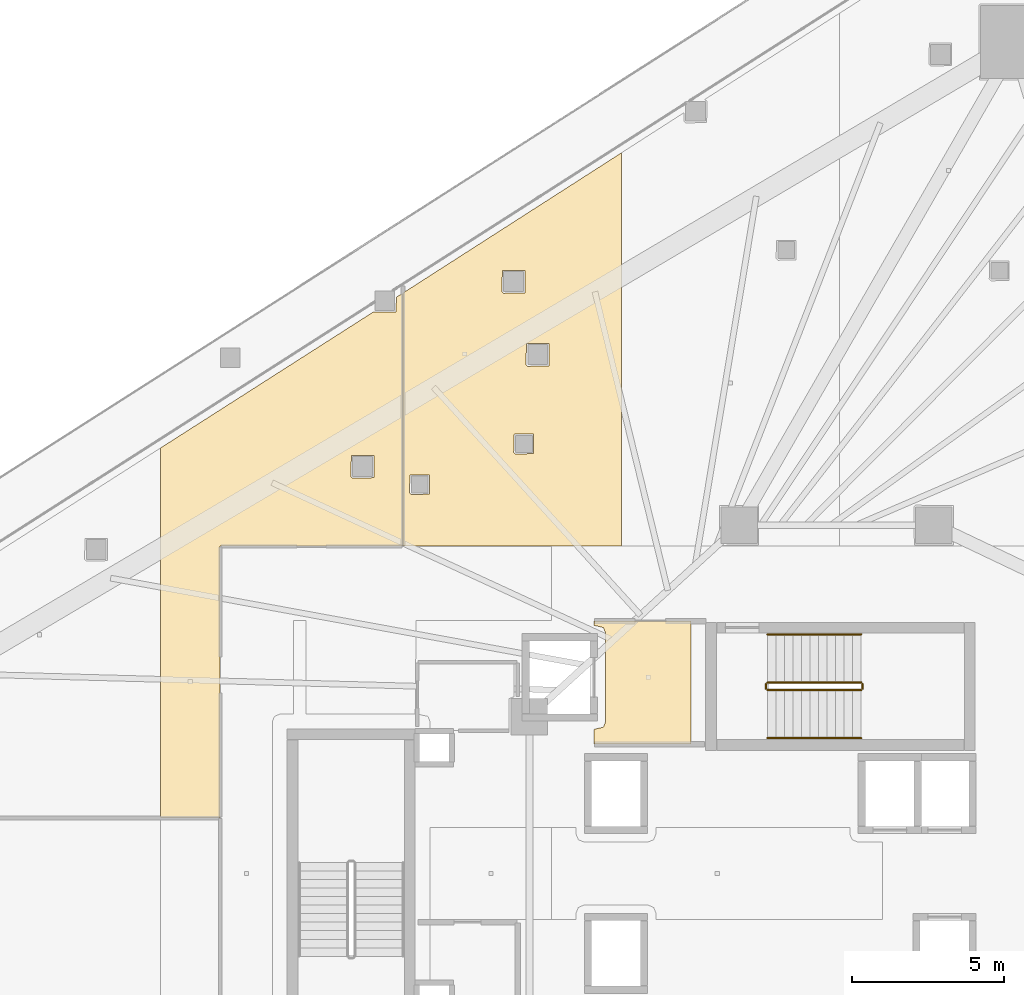
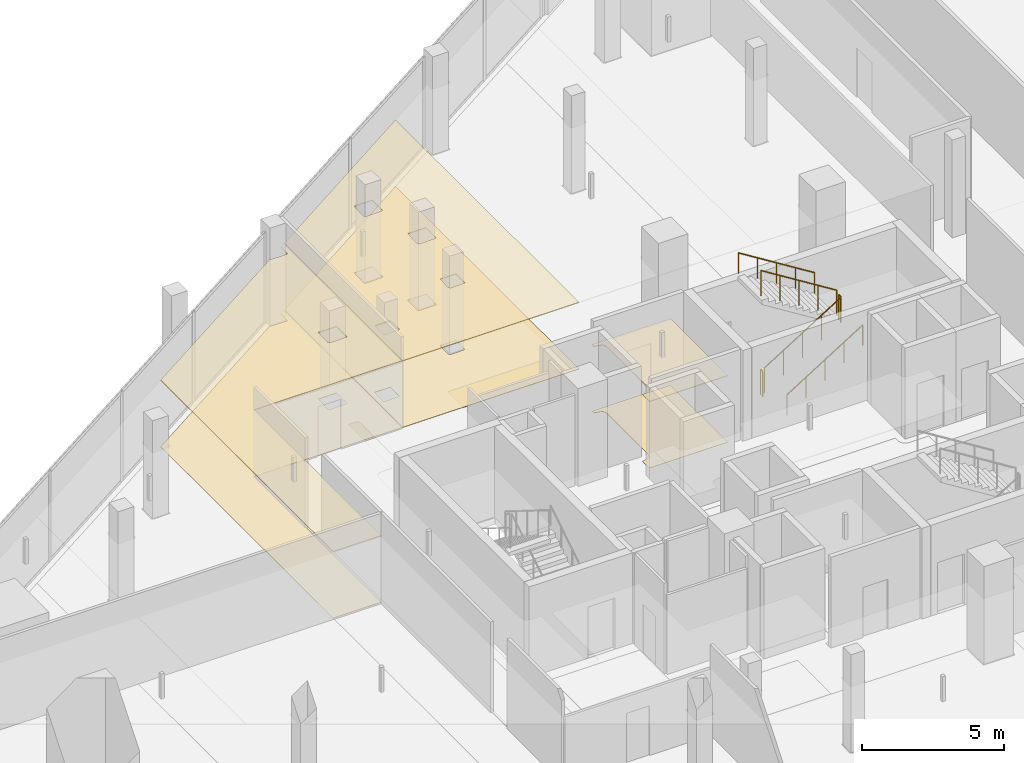
# One storey, part 44 of 45: 6 coverings, 6 railings.
"""IFC4 building model written with IfcOpenShell, lengths in metres."""

from ifc_helpers import new_model, si_unit, direction, frame, origin, origin_2d, place, context, subcontext, project, spatial, polyline, circle, outline, extrude, material, layer, layer_set, type_object, element, save


model = new_model("IFC4")

# Units and contexts
model_context = context("Model", 3, precision=1e-05, world=origin(), true_north=direction((0.0, 1.0)))
body_context = subcontext(model_context, "Body", "Model", "MODEL_VIEW")
ifc_project = project(units=[si_unit("LENGTHUNIT", "METRE"), si_unit("AREAUNIT", "SQUARE_METRE"), si_unit("VOLUMEUNIT", "CUBIC_METRE"), si_unit("PLANEANGLEUNIT", "RADIAN"), si_unit("MASSUNIT", "GRAM", prefix="KILO")], contexts=[model_context])

# Site, building, storey
site_placement = place(None, origin())
site = spatial("IfcSite", under=ifc_project, at=site_placement, CompositionType="ELEMENT")
building_placement = place(site_placement, origin())
building = spatial("IfcBuilding", under=site, at=building_placement, Name="Qorvath Tower", CompositionType="ELEMENT")
storey_placement = place(building_placement, frame((0.0, 0.0, 95.39990234375)))
storey = spatial("IfcBuildingStorey", under=building, at=storey_placement, Name="L21", CompositionType="ELEMENT", Elevation=95.39990234375)

# Coverings
ifc_material_1 = material(Name="Acoustic mineral fibre ceiling tile", Category="gypsum")
ifc_layer_1 = layer(ifc_material_1, 0.030029296875)
ifc_layer_set_1 = layer_set([ifc_layer_1], Name="COV-CEIL")
covering_type_1 = type_object("IfcCoveringType", Name="COV-CEIL", PredefinedType="CEILING", material=ifc_layer_set_1)
covering_1_placement = place(storey_placement, frame((0.0, 0.0, 2.85009765625)))
element("IfcCovering", 1, at=covering_1_placement, inside=storey, type_object=covering_type_1, Name="L21 Suspended Acoustic Ceiling 001", PredefinedType="CEILING", context=body_context, shape_type="SweptSolid", body=[
    extrude(outline(polyline([(-25.18994140625, 4.2548828125), (-25.18994140625, 8.294921875), (-28.375, 8.294921875), (-28.375, 8.159912109375), (-28.063232421875, 8.086669921875), (-27.989990234375, 7.909912109375), (-27.989990234375, 4.989990234375), (-28.063232421875, 4.813232421875), (-28.375, 4.739990234375), (-28.375, 4.2548828125), (-25.18994140625, 4.2548828125)])), origin(), (0.0, 0.0, 1.0), 0.030029296875),
])
covering_2_placement = place(storey_placement, frame((0.0, 0.0, 2.85009765625)))
element("IfcCovering", 2, at=covering_2_placement, inside=storey, type_object=covering_type_1, Name="L21 Suspended Acoustic Ceiling 009", PredefinedType="CEILING", context=body_context, shape_type="SweptSolid", body=[
    extrude(outline(polyline([(-27.47509765625, 10.762939453125), (-27.47509765625, 23.68994140625), (-34.64501953125, 19.0888671875), (-34.64501953125, 10.762939453125), (-27.47509765625, 10.762939453125)]), holes=[polyline([(-30.60986328125, 16.734619140625), (-30.59228515625, 17.427001953125), (-29.857421875, 17.427001953125), (-29.857421875, 16.692138671875), (-30.5498046875, 16.674560546875), (-30.60986328125, 16.734619140625)]), polyline([(-31.01220703125, 13.849365234375), (-30.99462890625, 14.441650390625), (-30.35986328125, 14.441650390625), (-30.35986328125, 13.806884765625), (-30.9521484375, 13.789306640625), (-31.01220703125, 13.849365234375)]), polyline([(-31.401123046875, 19.135498046875), (-31.383544921875, 19.827880859375), (-30.648681640625, 19.827880859375), (-30.648681640625, 19.093017578125), (-31.341064453125, 19.075439453125), (-31.401123046875, 19.135498046875)]), polyline([(-34.439208984375, 12.517578125), (-34.421630859375, 13.10986328125), (-33.786865234375, 13.10986328125), (-33.786865234375, 12.47509765625), (-34.379150390625, 12.45751953125), (-34.439208984375, 12.517578125)])]), origin(), (0.0, 0.0, 1.0), 0.030029296875),
])
covering_3_placement = place(storey_placement, frame((0.0, 0.0, 2.85009765625)))
element("IfcCovering", 3, at=covering_3_placement, inside=storey, type_object=covering_type_1, Name="L21 Suspended Acoustic Ceiling 029", PredefinedType="CEILING", context=body_context, shape_type="SweptSolid", body=[
    extrude(outline(polyline([(-34.6630859375, 10.762939453125), (-34.6630859375, 19.077392578125), (-34.86669921875, 18.947265625), (-34.88427734375, 18.4619140625), (-35.62060546875, 18.46533203125), (-42.621337890625, 13.990966796875), (-42.621337890625, 1.843505859375), (-40.6630859375, 1.843505859375), (-40.66162109375, 10.761474609375), (-34.6630859375, 10.762939453125)]), holes=[polyline([(-36.36572265625, 13.055908203125), (-36.34814453125, 13.748291015625), (-35.61328125, 13.748291015625), (-35.61328125, 13.013427734375), (-36.3056640625, 12.995849609375), (-36.36572265625, 13.055908203125)])]), origin(), (0.0, 0.0, 1.0), 0.030029296875),
])
ifc_material_2 = material(Name="Low-VOC modular carpet tile", Category="textile")
ifc_layer_2 = layer(ifc_material_2, 0.014892578125)
ifc_layer_set_2 = layer_set([ifc_layer_2], Name="COV-FLOOR-CPT")
covering_type_2 = type_object("IfcCoveringType", Name="COV-FLOOR-CPT", PredefinedType="FLOORING", material=ifc_layer_set_2)
covering_4_placement = place(storey_placement, origin())
element("IfcCovering", 4, at=covering_4_placement, inside=storey, type_object=covering_type_2, Name="L21 Floor Finish 009", PredefinedType="FLOORING", context=body_context, shape_type="SweptSolid", body=[
    extrude(outline(polyline([(-27.47509765625, 10.762939453125), (-27.47509765625, 23.68994140625), (-34.64501953125, 19.0888671875), (-34.64501953125, 10.762939453125), (-27.47509765625, 10.762939453125)]), holes=[polyline([(-30.60986328125, 16.734619140625), (-30.59228515625, 17.427001953125), (-29.857421875, 17.427001953125), (-29.857421875, 16.692138671875), (-30.5498046875, 16.674560546875), (-30.60986328125, 16.734619140625)]), polyline([(-31.01220703125, 13.849365234375), (-30.99462890625, 14.441650390625), (-30.35986328125, 14.441650390625), (-30.35986328125, 13.806884765625), (-30.9521484375, 13.789306640625), (-31.01220703125, 13.849365234375)]), polyline([(-31.401123046875, 19.135498046875), (-31.383544921875, 19.827880859375), (-30.648681640625, 19.827880859375), (-30.648681640625, 19.093017578125), (-31.341064453125, 19.075439453125), (-31.401123046875, 19.135498046875)]), polyline([(-34.439208984375, 12.517578125), (-34.421630859375, 13.10986328125), (-33.786865234375, 13.10986328125), (-33.786865234375, 12.47509765625), (-34.379150390625, 12.45751953125), (-34.439208984375, 12.517578125)])]), origin(), (0.0, 0.0, 1.0), 0.01513671875),
])
covering_5_placement = place(storey_placement, origin())
element("IfcCovering", 5, at=covering_5_placement, inside=storey, type_object=covering_type_2, Name="L21 Floor Finish 029", PredefinedType="FLOORING", context=body_context, shape_type="SweptSolid", body=[
    extrude(outline(polyline([(-34.6630859375, 10.762939453125), (-34.6630859375, 19.077392578125), (-34.86669921875, 18.947265625), (-34.88427734375, 18.4619140625), (-35.62060546875, 18.46533203125), (-42.621337890625, 13.990966796875), (-42.621337890625, 1.843505859375), (-40.6630859375, 1.843505859375), (-40.66162109375, 10.761474609375), (-34.6630859375, 10.762939453125)]), holes=[polyline([(-36.36572265625, 13.055908203125), (-36.34814453125, 13.748291015625), (-35.61328125, 13.748291015625), (-35.61328125, 13.013427734375), (-36.3056640625, 12.995849609375), (-36.36572265625, 13.055908203125)])]), origin(), (0.0, 0.0, 1.0), 0.01513671875),
])
ifc_material_3 = material(Name="Polished epoxy terrazzo flooring", Category="concrete")
ifc_layer_3 = layer(ifc_material_3, 0.02001953125)
ifc_layer_set_3 = layer_set([ifc_layer_3], Name="COV-FLOOR-TRZ")
covering_type_3 = type_object("IfcCoveringType", Name="COV-FLOOR-TRZ", PredefinedType="FLOORING", material=ifc_layer_set_3)
covering_6_placement = place(storey_placement, origin())
element("IfcCovering", 6, at=covering_6_placement, inside=storey, type_object=covering_type_3, Name="L21 Floor Finish 001", PredefinedType="FLOORING", context=body_context, shape_type="SweptSolid", body=[
    extrude(outline(polyline([(-25.18994140625, 4.2548828125), (-25.18994140625, 8.294921875), (-28.375, 8.294921875), (-28.375, 8.159912109375), (-28.063232421875, 8.086669921875), (-27.989990234375, 7.909912109375), (-27.989990234375, 4.989990234375), (-28.063232421875, 4.813232421875), (-28.375, 4.739990234375), (-28.375, 4.2548828125), (-25.18994140625, 4.2548828125)])), origin(), (0.0, 0.0, 1.0), 0.01513671875),
])

# Railings
ifc_material_4 = material(Name="Painted galvanised steel", Category="steel")
railing_type_1 = type_object("IfcRailingType", Name="RL-STR-GRD", PredefinedType="GUARDRAIL", material=ifc_material_4)
railing_1_placement = place(storey_placement, frame((-22.669921875, 6.030029296875, 0.175048828125)))
element("IfcRailing", 7, at=railing_1_placement, inside=storey, type_object=railing_type_1, Name="L21 TS1 stair guard 1", PredefinedType="GUARDRAIL", context=body_context, shape_type="SweptSolid", body=[
    extrude(circle(Radius=0.02392578125, at=origin_2d()), frame((0.0, 0.0, 1.076171875), z_axis=(0.847979421464, 0.0, 0.530029150871), x_axis=(0.0, 1.0, 0.0)), (0.0, 0.0, 1.0), 3.632080078125),
    extrude(circle(Radius=0.02099609375, at=origin_2d()), origin(), (0.0, 0.0, 1.0), 1.052001953125),
    extrude(circle(Radius=0.02099609375, at=origin_2d()), frame((0.77001953125, 0.0, 0.481201171875)), (0.0, 0.0, 1.0), 1.052001953125),
    extrude(circle(Radius=0.02099609375, at=origin_2d()), frame((1.5400390625, 0.0, 0.96240234375)), (0.0, 0.0, 1.0), 1.052001953125),
    extrude(circle(Radius=0.02099609375, at=origin_2d()), frame((2.309814453125, 0.0, 1.44384765625)), (0.0, 0.0, 1.0), 1.052001953125),
    extrude(circle(Radius=0.02099609375, at=origin_2d()), frame((3.079833984375, 0.0, 1.925048828125)), (0.0, 0.0, 1.0), 1.052001953125),
])
railing_2_placement = place(storey_placement, frame((-19.5400390625, 6.080078125, 2.10009765625)))
element("IfcRailing", 8, at=railing_2_placement, inside=storey, type_object=railing_type_1, Name="L21 TS1 stair guard 2", PredefinedType="GUARDRAIL", context=body_context, shape_type="SweptSolid", body=[
    extrude(circle(Radius=0.02392578125, at=origin_2d()), frame((0.0, 0.0, 1.076171875), z_axis=(0.0, 1.0, 0.0), x_axis=(-1.0, 0.0, 0.0)), (0.0, 0.0, 1.0), 0.14990234375),
    extrude(circle(Radius=0.02099609375, at=origin_2d()), origin(), (0.0, 0.0, 1.0), 1.052001953125),
    extrude(circle(Radius=0.02099609375, at=origin_2d()), frame((0.0, 0.14990234375, 0.0)), (0.0, 0.0, 1.0), 1.052001953125),
])
railing_3_placement = place(storey_placement, frame((-19.590087890625, 6.280029296875, 2.275146484375)))
element("IfcRailing", 9, at=railing_3_placement, inside=storey, type_object=railing_type_1, Name="L21 TS1 stair guard 3", PredefinedType="GUARDRAIL", context=body_context, shape_type="SweptSolid", body=[
    extrude(circle(Radius=0.02392578125, at=origin_2d()), frame((0.0, 0.0, 1.076171875), z_axis=(-0.847979421464, 0.0, 0.530029150871), x_axis=(0.0, -1.0, 0.0)), (0.0, 0.0, 1.0), 3.632080078125),
    extrude(circle(Radius=0.02099609375, at=origin_2d()), origin(), (0.0, 0.0, 1.0), 1.052001953125),
    extrude(circle(Radius=0.02099609375, at=origin_2d()), frame((-0.77001953125, 0.0, 0.481201171875)), (0.0, 0.0, 1.0), 1.052001953125),
    extrude(circle(Radius=0.02099609375, at=origin_2d()), frame((-1.5400390625, 0.0, 0.96240234375)), (0.0, 0.0, 1.0), 1.052001953125),
    extrude(circle(Radius=0.02099609375, at=origin_2d()), frame((-2.309814453125, 0.0, 1.44384765625)), (0.0, 0.0, 1.0), 1.052001953125),
    extrude(circle(Radius=0.02099609375, at=origin_2d()), frame((-3.079833984375, 0.0, 1.925048828125)), (0.0, 0.0, 1.0), 1.052001953125),
])
railing_4_placement = place(storey_placement, frame((-22.719970703125, 6.080078125, 0.0)))
element("IfcRailing", 10, at=railing_4_placement, inside=storey, type_object=railing_type_1, Name="L21 TS1 stair guard 4", PredefinedType="GUARDRAIL", context=body_context, shape_type="SweptSolid", body=[
    extrude(circle(Radius=0.02392578125, at=origin_2d()), frame((0.0, 0.0, 1.076171875), z_axis=(0.0, 1.0, 0.0), x_axis=(-1.0, 0.0, 0.0)), (0.0, 0.0, 1.0), 0.14990234375),
    extrude(circle(Radius=0.02099609375, at=origin_2d()), origin(), (0.0, 0.0, 1.0), 1.052001953125),
    extrude(circle(Radius=0.02099609375, at=origin_2d()), frame((0.0, 0.14990234375, 0.0)), (0.0, 0.0, 1.0), 1.052001953125),
])
ifc_material_5 = material(Name="Brushed stainless steel AISI 304", Category="steel")
railing_type_2 = type_object("IfcRailingType", Name="RL-STR-HND", PredefinedType="HANDRAIL", material=ifc_material_5)
railing_5_placement = place(storey_placement, frame((-22.669921875, 4.449951171875, 0.175048828125)))
element("IfcRailing", 11, at=railing_5_placement, inside=storey, type_object=railing_type_2, Name="L21 TS1 stair handrail 1", PredefinedType="HANDRAIL", context=body_context, shape_type="SweptSolid", body=[
    extrude(circle(Radius=0.02392578125, at=origin_2d()), frame((0.0, 0.0, 0.8759765625), z_axis=(0.847979421464, 0.0, 0.530029150871), x_axis=(0.0, 1.0, 0.0)), (0.0, 0.0, 1.0), 3.632080078125),
    extrude(circle(Radius=0.02099609375, at=origin_2d()), origin(), (0.0, 0.0, 1.0), 0.851806640625),
    extrude(circle(Radius=0.02099609375, at=origin_2d()), frame((0.77001953125, 0.0, 0.481201171875)), (0.0, 0.0, 1.0), 0.851806640625),
    extrude(circle(Radius=0.02099609375, at=origin_2d()), frame((1.5400390625, 0.0, 0.96240234375)), (0.0, 0.0, 1.0), 0.851806640625),
    extrude(circle(Radius=0.02099609375, at=origin_2d()), frame((2.309814453125, 0.0, 1.44384765625)), (0.0, 0.0, 1.0), 0.851806640625),
    extrude(circle(Radius=0.02099609375, at=origin_2d()), frame((3.079833984375, 0.0, 1.925048828125)), (0.0, 0.0, 1.0), 0.851806640625),
])
railing_6_placement = place(storey_placement, frame((-19.590087890625, 7.860107421875, 2.275146484375)))
element("IfcRailing", 12, at=railing_6_placement, inside=storey, type_object=railing_type_2, Name="L21 TS1 stair handrail 2", PredefinedType="HANDRAIL", context=body_context, shape_type="SweptSolid", body=[
    extrude(circle(Radius=0.02392578125, at=origin_2d()), frame((0.0, 0.0, 0.8759765625), z_axis=(-0.847979421464, 0.0, 0.530029150871), x_axis=(0.0, -1.0, 0.0)), (0.0, 0.0, 1.0), 3.632080078125),
    extrude(circle(Radius=0.02099609375, at=origin_2d()), origin(), (0.0, 0.0, 1.0), 0.851806640625),
    extrude(circle(Radius=0.02099609375, at=origin_2d()), frame((-0.77001953125, 0.0, 0.481201171875)), (0.0, 0.0, 1.0), 0.851806640625),
    extrude(circle(Radius=0.02099609375, at=origin_2d()), frame((-1.5400390625, 0.0, 0.96240234375)), (0.0, 0.0, 1.0), 0.851806640625),
    extrude(circle(Radius=0.02099609375, at=origin_2d()), frame((-2.309814453125, 0.0, 1.44384765625)), (0.0, 0.0, 1.0), 0.851806640625),
    extrude(circle(Radius=0.02099609375, at=origin_2d()), frame((-3.079833984375, 0.0, 1.925048828125)), (0.0, 0.0, 1.0), 0.851806640625),
])

save(model, "model.ifc")
